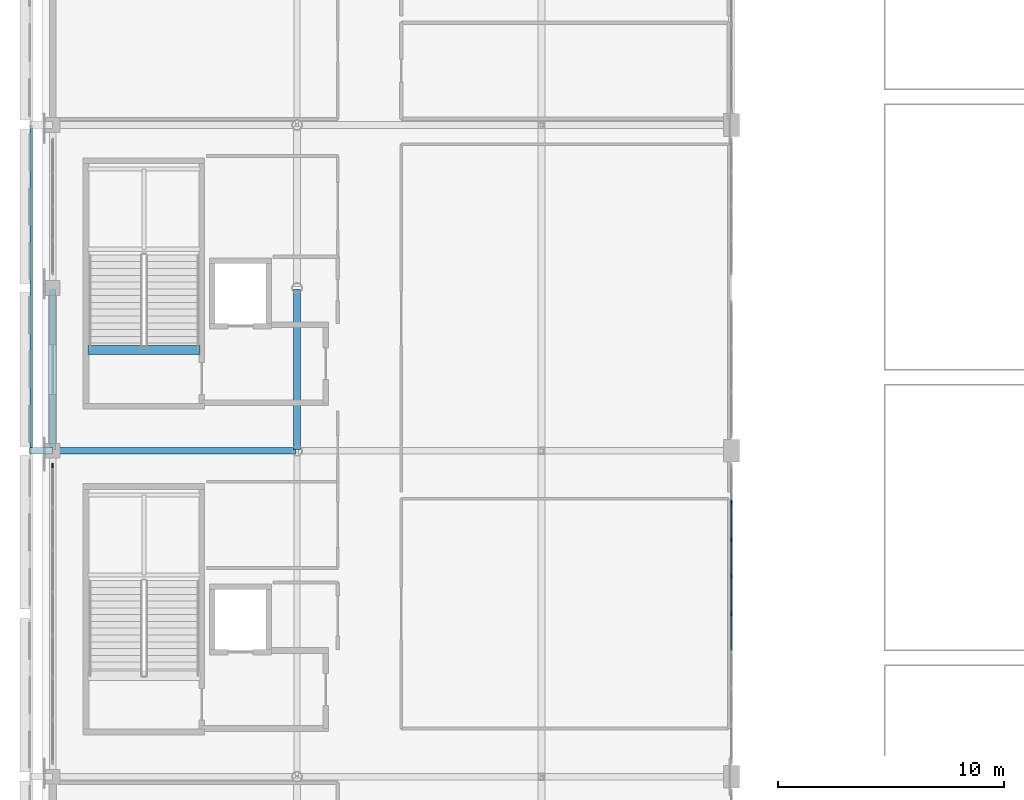
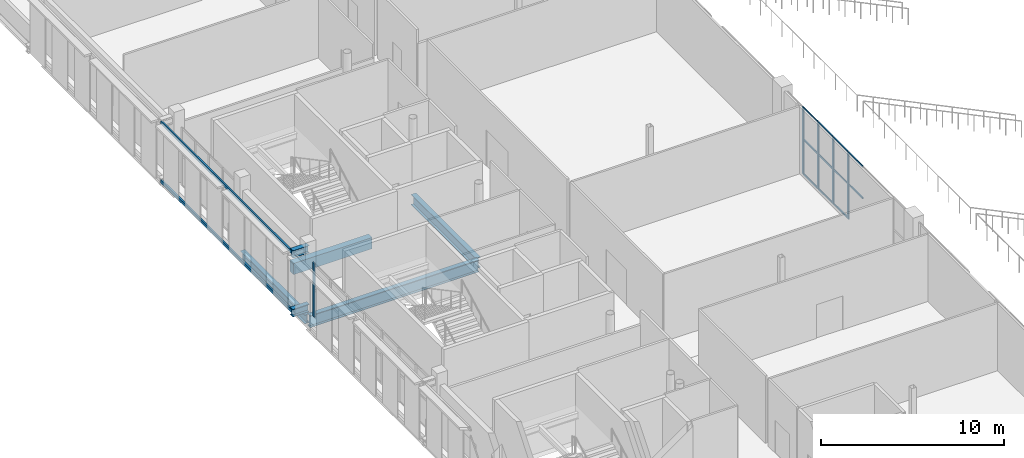
# One storey, part 26 of 104: 18 members, 6 beams, 2 elements without a shape of their own.
"""IFC4 building model written with IfcOpenShell, lengths in metres."""

from ifc_helpers import new_model, si_unit, direction, frame, origin, origin_2d, place, context, subcontext, project, spatial, rectangle, hollow_rectangle, i_section, extrude, material, material_profile, profile_set, type_object, element, aggregate, save


model = new_model("IFC4")

# Units and contexts
model_context = context("Model", 3, precision=1e-05, world=origin(), true_north=direction((0.0, 1.0)))
body_context = subcontext(model_context, "Body", "Model", "MODEL_VIEW")
ifc_project = project(units=[si_unit("LENGTHUNIT", "METRE"), si_unit("AREAUNIT", "SQUARE_METRE"), si_unit("VOLUMEUNIT", "CUBIC_METRE"), si_unit("PLANEANGLEUNIT", "RADIAN"), si_unit("MASSUNIT", "GRAM", prefix="KILO")], contexts=[model_context])

# Site, building, storey
site_placement = place(None, origin())
site = spatial("IfcSite", under=ifc_project, at=site_placement, CompositionType="ELEMENT")
building_placement = place(site_placement, origin())
building = spatial("IfcBuilding", under=site, at=building_placement, Name="Koshinbarg Plaza Stadium", CompositionType="ELEMENT")
storey_placement = place(building_placement, frame((0.0, 0.0, 19.800048828125)))
storey = spatial("IfcBuildingStorey", under=building, at=storey_placement, Name="L04", CompositionType="ELEMENT", Elevation=19.800048828125)

# Beams
ifc_material_1 = material(Name="Steel S355", Category="steel")
ifc_material_profile_1 = material_profile(ifc_material_1, i_section(OverallWidth=0.300048828125, OverallDepth=0.5, WebThickness=0.014404296875, FlangeThickness=0.028076171875, at=origin_2d()), Name="HEB 500")
ifc_profile_set_1 = profile_set([ifc_material_profile_1], Name="Steel S355")
beam_type_1 = type_object("IfcBeamType", Name="BM-CANOPY-CANT", PredefinedType="BEAM", material=ifc_profile_set_1)
for number, where, z_axis, x_axis, name in (
    (1, (24.60009765625, 97.5, 0.25), (-1.0, 0.0, 0.0), (0.0, -1.0, 0.0), "Outer screen cantilever outrigger W-L04-Y06"),
    (2, (24.60009765625, 97.5, 4.179931640625), (-1.0, 0.0, 0.0), (0.0, -1.0, 0.0), "Outer screen cantilever outrigger W-L04-Y06"),
):
    element("IfcBeam", number, at=place(storey_placement, frame(where, z_axis=z_axis, x_axis=x_axis)), inside=storey, type_object=beam_type_1, Name=name, PredefinedType="BEAM", context=body_context, shape_type="SweptSolid", body=[
        extrude(i_section(OverallWidth=0.300048828125, OverallDepth=0.5, WebThickness=0.014404296875, FlangeThickness=0.028076171875, at=origin_2d()), origin(), (0.0, 0.0, 1.0), 1.030029296875),
    ])
ifc_material_2 = material(Name="Concrete C40/50", Category="concrete")
ifc_material_profile_2 = material_profile(ifc_material_2, rectangle(XDim=0.39990234375, YDim=0.75, at=origin_2d()), Name="RC 400x750")
ifc_profile_set_2 = profile_set([ifc_material_profile_2], Name="Concrete C40/50")
beam_type_2 = type_object("IfcBeamType", Name="BM-RCG-03", PredefinedType="USERDEFINED", material=ifc_profile_set_2)
beam_1_placement = place(storey_placement, frame((26.14990234375, 101.9599609375, -0.375), z_axis=(1.0, 0.0, 0.0), x_axis=(0.0, 1.0, 0.0)))
element("IfcBeam", 3, at=beam_1_placement, inside=storey, type_object=beam_type_2, Name="L04 stair landing header beam C06", ObjectType="GIRDER", PredefinedType="USERDEFINED", context=body_context, shape_type="SweptSolid", body=[
    extrude(rectangle(XDim=0.39990234375, YDim=0.75, at=origin_2d()), origin(), (0.0, 0.0, 1.0), 4.97021484375),
])
ifc_material_profile_3 = material_profile(ifc_material_1, i_section(OverallWidth=0.300048828125, OverallDepth=0.60009765625, WebThickness=0.015380859375, FlangeThickness=0.030029296875, at=origin_2d()), Name="HEB 600")
ifc_profile_set_3 = profile_set([ifc_material_profile_3], Name="Steel S355")
beam_type_3 = type_object("IfcBeamType", Name="BM-SGIR-02", PredefinedType="USERDEFINED", material=ifc_profile_set_3)
beam_2_placement = place(storey_placement, frame((24.60009765625, 97.56005859375, -0.60009765625), z_axis=(0.0, 1.0, 0.0), x_axis=(-1.0, 0.0, 0.0)))
element("IfcBeam", 4, at=beam_2_placement, inside=storey, type_object=beam_type_3, Name="L04 Y girder 5/N-P", ObjectType="GIRDER", PredefinedType="USERDEFINED", context=body_context, shape_type="SweptSolid", body=[
    extrude(i_section(OverallWidth=0.300048828125, OverallDepth=0.60009765625, WebThickness=0.015380859375, FlangeThickness=0.030029296875, at=origin_2d()), origin(), (0.0, 0.0, 1.0), 7.079833984375),
])
ifc_material_profile_4 = material_profile(ifc_material_1, i_section(OverallWidth=0.300048828125, OverallDepth=0.699951171875, WebThickness=0.01708984375, FlangeThickness=0.031982421875, at=origin_2d()), Name="HEB 700")
ifc_profile_set_4 = profile_set([ifc_material_profile_4], Name="Steel S355")
beam_type_4 = type_object("IfcBeamType", Name="BM-SGIR-03", PredefinedType="USERDEFINED", material=ifc_profile_set_4)
beam_3_placement = place(storey_placement, frame((35.39990234375, 97.56005859375, -0.650146484375), z_axis=(0.0, 1.0, 0.0), x_axis=(-1.0, 0.0, 0.0)))
element("IfcBeam", 5, at=beam_3_placement, inside=storey, type_object=beam_type_4, Name="L04 Y girder 6/N-P", ObjectType="GIRDER", PredefinedType="USERDEFINED", context=body_context, shape_type="SweptSolid", body=[
    extrude(i_section(OverallWidth=0.300048828125, OverallDepth=0.699951171875, WebThickness=0.01708984375, FlangeThickness=0.031982421875, at=origin_2d()), origin(), (0.0, 0.0, 1.0), 7.079833984375),
])
ifc_material_profile_5 = material_profile(ifc_material_1, i_section(OverallWidth=0.300048828125, OverallDepth=0.800048828125, WebThickness=0.017578125, FlangeThickness=0.032958984375, at=origin_2d()), Name="HEB 800")
ifc_profile_set_5 = profile_set([ifc_material_profile_5], Name="Steel S355")
beam_type_5 = type_object("IfcBeamType", Name="BM-SGIR-04", PredefinedType="USERDEFINED", material=ifc_profile_set_5)
beam_4_placement = place(storey_placement, frame((24.659912109375, 97.5, -0.699951171875), z_axis=(1.0, 0.0, 0.0), x_axis=(0.0, 1.0, 0.0)))
element("IfcBeam", 6, at=beam_4_placement, inside=storey, type_object=beam_type_5, Name="L04 X girder N/5-6", ObjectType="GIRDER", PredefinedType="USERDEFINED", context=body_context, shape_type="SweptSolid", body=[
    extrude(i_section(OverallWidth=0.300048828125, OverallDepth=0.800048828125, WebThickness=0.017578125, FlangeThickness=0.032958984375, at=origin_2d()), origin(), (0.0, 0.0, 1.0), 10.68017578125),
])

# Curtain wall, members
ifc_material_3 = material(Name="Thermally broken anodised aluminium and low-E double glazing", Category="aluminium")
curtain_wall_type_1 = type_object("IfcCurtainWallType", Name="CW-SYS-03", PredefinedType="NOTDEFINED", material=ifc_material_3)
curtain_wall_1_placement = place(storey_placement, origin())
curtain_wall_1 = element("IfcCurtainWall", 7, at=curtain_wall_1_placement, inside=storey, type_object=curtain_wall_type_1, Name="L04 unitised curtain wall CW-L04-114", PredefinedType="NOTDEFINED")
ifc_material_4 = material(Name="Anodised aluminium mullion", Category="aluminium")
ifc_material_profile_6 = material_profile(ifc_material_4, rectangle(XDim=0.070068359375, YDim=0.179931640625, at=origin_2d()), Name="ALU 70x180")
ifc_profile_set_6 = profile_set([ifc_material_profile_6], Name="Anodised aluminium mullion")
member_type_1 = type_object("IfcMemberType", Name="CW-MUL-03", PredefinedType="MULLION", material=ifc_profile_set_6)
member_1_placement = place(storey_placement, frame((54.60009765625, 95.235107421875, 0.0), z_axis=(0.0, 0.0, 1.0), x_axis=(1.0, 0.0, 0.0)))
member_1 = element("IfcMember", 8, at=member_1_placement, type_object=member_type_1, Name="CW03 mullion 2", PredefinedType="MULLION", context=body_context, shape_type="SweptSolid", body=[
    extrude(rectangle(XDim=0.070068359375, YDim=0.179931640625, at=origin_2d()), origin(), (0.0, 0.0, 1.0), 4.47998046875),
])
member_2_placement = place(storey_placement, frame((54.60009765625, 93.590087890625, 0.0), z_axis=(0.0, 0.0, 1.0), x_axis=(1.0, 0.0, 0.0)))
member_2 = element("IfcMember", 9, at=member_2_placement, type_object=member_type_1, Name="CW03 mullion 3", PredefinedType="MULLION", context=body_context, shape_type="SweptSolid", body=[
    extrude(rectangle(XDim=0.070068359375, YDim=0.179931640625, at=origin_2d()), origin(), (0.0, 0.0, 1.0), 4.47998046875),
])
member_3_placement = place(storey_placement, frame((54.60009765625, 91.945068359375, 0.0), z_axis=(0.0, 0.0, 1.0), x_axis=(1.0, 0.0, 0.0)))
member_3 = element("IfcMember", 10, at=member_3_placement, type_object=member_type_1, Name="CW03 mullion 4", PredefinedType="MULLION", context=body_context, shape_type="SweptSolid", body=[
    extrude(rectangle(XDim=0.070068359375, YDim=0.179931640625, at=origin_2d()), origin(), (0.0, 0.0, 1.0), 4.47998046875),
])
member_4_placement = place(storey_placement, frame((54.60009765625, 90.300048828125, 0.0), z_axis=(0.0, 0.0, 1.0), x_axis=(1.0, 0.0, 0.0)))
member_4 = element("IfcMember", 11, at=member_4_placement, type_object=member_type_1, Name="CW03 mullion 5", PredefinedType="MULLION", context=body_context, shape_type="SweptSolid", body=[
    extrude(rectangle(XDim=0.070068359375, YDim=0.179931640625, at=origin_2d()), origin(), (0.0, 0.0, 1.0), 4.47998046875),
])

# Curtain wall, member
curtain_wall_type_2 = type_object("IfcCurtainWallType", Name="CW-SYS-16", PredefinedType="NOTDEFINED", material=ifc_material_3)
curtain_wall_2_placement = place(storey_placement, origin())
curtain_wall_2 = element("IfcCurtainWall", 12, at=curtain_wall_2_placement, inside=storey, type_object=curtain_wall_type_2, Name="L04 unitised curtain wall CW-L04-095", PredefinedType="NOTDEFINED")
ifc_material_profile_7 = material_profile(ifc_material_4, rectangle(XDim=0.070068359375, YDim=0.199951171875, at=origin_2d()), Name="ALU 70x200")
ifc_profile_set_7 = profile_set([ifc_material_profile_7], Name="Anodised aluminium mullion")
member_type_2 = type_object("IfcMemberType", Name="CW-MUL-04", PredefinedType="MULLION", material=ifc_profile_set_7)
member_5_placement = place(storey_placement, frame((24.60009765625, 96.85009765625, 0.0), z_axis=(0.0, 0.0, 1.0), x_axis=(-1.0, 0.0, 0.0)))
member_5 = element("IfcMember", 13, at=member_5_placement, type_object=member_type_2, Name="CW16 mullion 8", PredefinedType="MULLION", context=body_context, shape_type="SweptSolid", body=[
    extrude(rectangle(XDim=0.070068359375, YDim=0.199951171875, at=origin_2d()), origin(), (0.0, 0.0, 1.0), 3.579833984375),
])
aggregate(curtain_wall_2, [member_5])

# Member
ifc_material_5 = material(Name="Anodised aluminium transom", Category="aluminium")
ifc_material_profile_8 = material_profile(ifc_material_5, rectangle(XDim=0.06005859375, YDim=0.110107421875, at=origin_2d()), Name="ALU 60x110")
ifc_profile_set_8 = profile_set([ifc_material_profile_8], Name="Anodised aluminium transom")
member_type_3 = type_object("IfcMemberType", Name="CW-TRN-01", PredefinedType="USERDEFINED", material=ifc_profile_set_8)
member_6_placement = place(storey_placement, frame((54.60009765625, 95.205078125, 0.030029296875), z_axis=(0.0, -1.0, 0.0), x_axis=(1.0, 0.0, 0.0)))
member_6 = element("IfcMember", 14, at=member_6_placement, type_object=member_type_3, Name="CW03 transom 2.1", ObjectType="TRANSOM", PredefinedType="USERDEFINED", context=body_context, shape_type="SweptSolid", body=[
    extrude(rectangle(XDim=0.06005859375, YDim=0.110107421875, at=origin_2d()), origin(), (0.0, 0.0, 1.0), 1.5849609375),
])

member_7_placement = place(storey_placement, frame((54.60009765625, 95.205078125, 2.32958984375), z_axis=(0.0, -1.0, 0.0), x_axis=(1.0, 0.0, 0.0)))
member_7 = element("IfcMember", 15, at=member_7_placement, type_object=member_type_3, Name="CW03 transom 2.2", ObjectType="TRANSOM", PredefinedType="USERDEFINED", context=body_context, shape_type="SweptSolid", body=[
    extrude(rectangle(XDim=0.06005859375, YDim=0.110107421875, at=origin_2d()), origin(), (0.0, 0.0, 1.0), 1.5849609375),
])

member_8_placement = place(storey_placement, frame((54.60009765625, 95.205078125, 4.449951171875), z_axis=(0.0, -1.0, 0.0), x_axis=(1.0, 0.0, 0.0)))
member_8 = element("IfcMember", 16, at=member_8_placement, type_object=member_type_3, Name="CW03 transom 2.3", ObjectType="TRANSOM", PredefinedType="USERDEFINED", context=body_context, shape_type="SweptSolid", body=[
    extrude(rectangle(XDim=0.06005859375, YDim=0.110107421875, at=origin_2d()), origin(), (0.0, 0.0, 1.0), 1.5849609375),
])

member_9_placement = place(storey_placement, frame((54.60009765625, 93.56005859375, 0.030029296875), z_axis=(0.0, -1.0, 0.0), x_axis=(1.0, 0.0, 0.0)))
member_9 = element("IfcMember", 17, at=member_9_placement, type_object=member_type_3, Name="CW03 transom 3.1", ObjectType="TRANSOM", PredefinedType="USERDEFINED", context=body_context, shape_type="SweptSolid", body=[
    extrude(rectangle(XDim=0.06005859375, YDim=0.110107421875, at=origin_2d()), origin(), (0.0, 0.0, 1.0), 1.5849609375),
])

member_10_placement = place(storey_placement, frame((54.60009765625, 93.56005859375, 2.32958984375), z_axis=(0.0, -1.0, 0.0), x_axis=(1.0, 0.0, 0.0)))
member_10 = element("IfcMember", 18, at=member_10_placement, type_object=member_type_3, Name="CW03 transom 3.2", ObjectType="TRANSOM", PredefinedType="USERDEFINED", context=body_context, shape_type="SweptSolid", body=[
    extrude(rectangle(XDim=0.06005859375, YDim=0.110107421875, at=origin_2d()), origin(), (0.0, 0.0, 1.0), 1.5849609375),
])

member_11_placement = place(storey_placement, frame((54.60009765625, 93.56005859375, 4.449951171875), z_axis=(0.0, -1.0, 0.0), x_axis=(1.0, 0.0, 0.0)))
member_11 = element("IfcMember", 19, at=member_11_placement, type_object=member_type_3, Name="CW03 transom 3.3", ObjectType="TRANSOM", PredefinedType="USERDEFINED", context=body_context, shape_type="SweptSolid", body=[
    extrude(rectangle(XDim=0.06005859375, YDim=0.110107421875, at=origin_2d()), origin(), (0.0, 0.0, 1.0), 1.5849609375),
])

member_12_placement = place(storey_placement, frame((54.60009765625, 91.9150390625, 0.030029296875), z_axis=(0.0, -1.0, 0.0), x_axis=(1.0, 0.0, 0.0)))
member_12 = element("IfcMember", 20, at=member_12_placement, type_object=member_type_3, Name="CW03 transom 4.1", ObjectType="TRANSOM", PredefinedType="USERDEFINED", context=body_context, shape_type="SweptSolid", body=[
    extrude(rectangle(XDim=0.06005859375, YDim=0.110107421875, at=origin_2d()), origin(), (0.0, 0.0, 1.0), 1.5849609375),
])

member_13_placement = place(storey_placement, frame((54.60009765625, 91.9150390625, 2.32958984375), z_axis=(0.0, -1.0, 0.0), x_axis=(1.0, 0.0, 0.0)))
member_13 = element("IfcMember", 21, at=member_13_placement, type_object=member_type_3, Name="CW03 transom 4.2", ObjectType="TRANSOM", PredefinedType="USERDEFINED", context=body_context, shape_type="SweptSolid", body=[
    extrude(rectangle(XDim=0.06005859375, YDim=0.110107421875, at=origin_2d()), origin(), (0.0, 0.0, 1.0), 1.5849609375),
])

member_14_placement = place(storey_placement, frame((54.60009765625, 91.9150390625, 4.449951171875), z_axis=(0.0, -1.0, 0.0), x_axis=(1.0, 0.0, 0.0)))
member_14 = element("IfcMember", 22, at=member_14_placement, type_object=member_type_3, Name="CW03 transom 4.3", ObjectType="TRANSOM", PredefinedType="USERDEFINED", context=body_context, shape_type="SweptSolid", body=[
    extrude(rectangle(XDim=0.06005859375, YDim=0.110107421875, at=origin_2d()), origin(), (0.0, 0.0, 1.0), 1.5849609375),
])

member_15_placement = place(storey_placement, frame((54.60009765625, 90.27001953125, 2.32958984375), z_axis=(0.0, -1.0, 0.0), x_axis=(1.0, 0.0, 0.0)))
member_15 = element("IfcMember", 23, at=member_15_placement, type_object=member_type_3, Name="CW03 transom 5.2", ObjectType="TRANSOM", PredefinedType="USERDEFINED", context=body_context, shape_type="SweptSolid", body=[
    extrude(rectangle(XDim=0.06005859375, YDim=0.110107421875, at=origin_2d()), origin(), (0.0, 0.0, 1.0), 1.5849609375),
])

member_16_placement = place(storey_placement, frame((54.60009765625, 90.27001953125, 4.449951171875), z_axis=(0.0, -1.0, 0.0), x_axis=(1.0, 0.0, 0.0)))
member_16 = element("IfcMember", 24, at=member_16_placement, type_object=member_type_3, Name="CW03 transom 5.3", ObjectType="TRANSOM", PredefinedType="USERDEFINED", context=body_context, shape_type="SweptSolid", body=[
    extrude(rectangle(XDim=0.06005859375, YDim=0.110107421875, at=origin_2d()), origin(), (0.0, 0.0, 1.0), 1.5849609375),
])

aggregate(curtain_wall_1, [member_1, member_2, member_3, member_4, member_6, member_7, member_8, member_9, member_10, member_11, member_12, member_13, member_14, member_15, member_16])

# Members
ifc_material_profile_9 = material_profile(ifc_material_1, hollow_rectangle(XDim=0.10009765625, YDim=0.199951171875, WallThickness=0.008056640625, at=origin_2d()), Name="RHS 200x100x8")
ifc_profile_set_9 = profile_set([ifc_material_profile_9], Name="Steel S355")
member_type_4 = type_object("IfcMemberType", Name="MB-PURL-03", PredefinedType="PURLIN", material=ifc_profile_set_9)
for number, where, z_axis, x_axis, name in (
    (25, (23.64990234375, 97.5, 0.25), (0.0, 1.0, 0.0), (-1.0, 0.0, 0.0), "L04 outer screen subframe rail W-6-BOT"),
    (26, (23.64990234375, 97.5, 4.179931640625), (0.0, 1.0, 0.0), (-1.0, 0.0, 0.0), "L04 outer screen subframe rail W-6-TOP"),
):
    element("IfcMember", number, at=place(storey_placement, frame(where, z_axis=z_axis, x_axis=x_axis)), inside=storey, type_object=member_type_4, Name=name, PredefinedType="PURLIN", context=body_context, shape_type="SweptSolid", body=[
        extrude(hollow_rectangle(XDim=0.10009765625, YDim=0.199951171875, WallThickness=0.008056640625, at=origin_2d()), origin(), (0.0, 0.0, 1.0), 14.39990234375),
    ])

save(model, "model.ifc")
